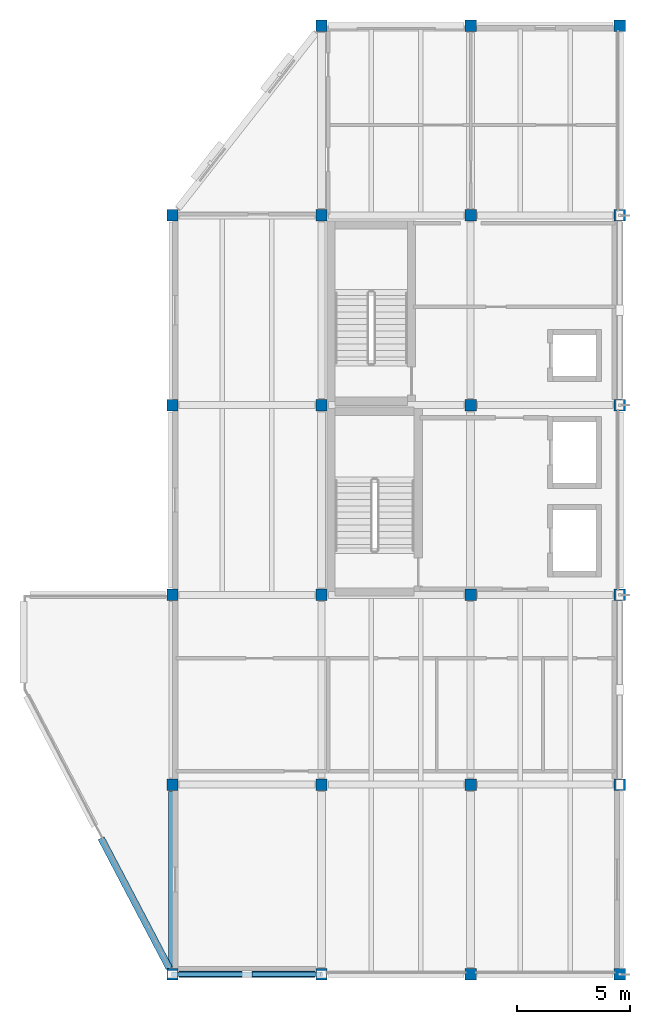
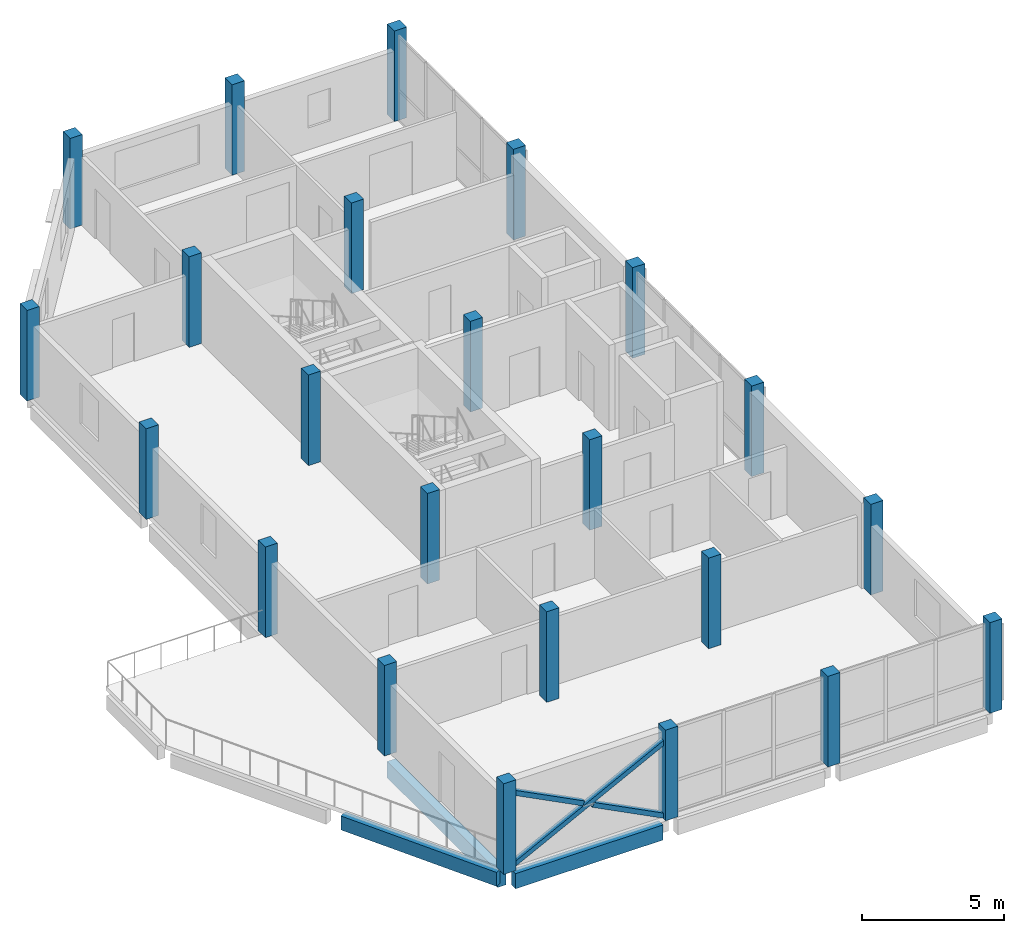
# One storey, part 1 of 9: 23 columns, 3 beams, 3 members.
"""IFC4 building model written with IfcOpenShell, lengths in metres."""

from ifc_helpers import new_model, si_unit, direction, frame, origin, origin_2d, place, context, subcontext, project, spatial, rectangle, hollow_rectangle, extrude, material, material_profile, profile_set, type_object, element, save


model = new_model("IFC4")

# Units and contexts
model_context = context("Model", 3, precision=1e-05, world=origin(), true_north=direction((0.0, 1.0)))
body_context = subcontext(model_context, "Body", "Model", "MODEL_VIEW")
ifc_project = project(units=[si_unit("LENGTHUNIT", "METRE"), si_unit("AREAUNIT", "SQUARE_METRE"), si_unit("VOLUMEUNIT", "CUBIC_METRE"), si_unit("PLANEANGLEUNIT", "RADIAN"), si_unit("MASSUNIT", "GRAM", prefix="KILO")], contexts=[model_context])

# Site, building, storey
site_placement = place(None, origin())
site = spatial("IfcSite", under=ifc_project, at=site_placement, CompositionType="ELEMENT")
building_placement = place(site_placement, origin())
building = spatial("IfcBuilding", under=site, at=building_placement, Name="Qaldarim Faculty of Natural and Applied Sciences", CompositionType="ELEMENT")
storey_placement = place(building_placement, frame((0.0, 0.0, 43.199951171875)))
storey = spatial("IfcBuildingStorey", under=building, at=storey_placement, Name="L10", CompositionType="ELEMENT", Elevation=43.199951171875)

# Columns
ifc_material_1 = material(Name="Concrete C50/60", Category="concrete")
ifc_material_profile_1 = material_profile(ifc_material_1, rectangle(XDim=0.5, YDim=0.5, at=origin_2d()), Name="RC-C500x500")
ifc_profile_set_1 = profile_set([ifc_material_profile_1], Name="Concrete C50/60")
column_type = type_object("IfcColumnType", Name="Column-RC500x500", PredefinedType="COLUMN", material=ifc_profile_set_1)
for number, where, z_axis, x_axis, name in (
    (1, (158.39990234375, 0.0, 0.0), (0.0, 0.0, 1.0), (1.0, 0.0, 0.0), "Column X25/Y01 L10"),
    (2, (158.39990234375, 8.39990234375, 0.0), (0.0, 0.0, 1.0), (1.0, 0.0, 0.0), "Column X25/Y02 L10"),
    (3, (158.39990234375, 16.800048828125, 0.0), (0.0, 0.0, 1.0), (1.0, 0.0, 0.0), "Column X25/Y03 L10"),
    (4, (158.39990234375, 25.199951171875, 0.0), (0.0, 0.0, 1.0), (1.0, 0.0, 0.0), "Column X25/Y04 L10"),
    (5, (158.39990234375, 33.60009765625, 0.0), (0.0, 0.0, 1.0), (1.0, 0.0, 0.0), "Column X25/Y05 L10"),
    (6, (165.0, 0.0, 0.0), (0.0, 0.0, 1.0), (1.0, 0.0, 0.0), "Column X26/Y01 L10"),
    (7, (165.0, 8.39990234375, 0.0), (0.0, 0.0, 1.0), (1.0, 0.0, 0.0), "Column X26/Y02 L10"),
    (8, (165.0, 16.800048828125, 0.0), (0.0, 0.0, 1.0), (1.0, 0.0, 0.0), "Column X26/Y03 L10"),
    (9, (165.0, 25.199951171875, 0.0), (0.0, 0.0, 1.0), (1.0, 0.0, 0.0), "Column X26/Y04 L10"),
    (10, (165.0, 33.60009765625, 0.0), (0.0, 0.0, 1.0), (1.0, 0.0, 0.0), "Column X26/Y05 L10"),
    (11, (165.0, 42.0, 0.0), (0.0, 0.0, 1.0), (1.0, 0.0, 0.0), "Column X26/Y06 L10"),
    (12, (171.60009765625, 0.0, 0.0), (0.0, 0.0, 1.0), (1.0, 0.0, 0.0), "Column X27/Y01 L10"),
    (13, (171.60009765625, 8.39990234375, 0.0), (0.0, 0.0, 1.0), (1.0, 0.0, 0.0), "Column X27/Y02 L10"),
    (14, (171.60009765625, 16.800048828125, 0.0), (0.0, 0.0, 1.0), (1.0, 0.0, 0.0), "Column X27/Y03 L10"),
    (15, (171.60009765625, 25.199951171875, 0.0), (0.0, 0.0, 1.0), (1.0, 0.0, 0.0), "Column X27/Y04 L10"),
    (16, (171.60009765625, 33.60009765625, 0.0), (0.0, 0.0, 1.0), (1.0, 0.0, 0.0), "Column X27/Y05 L10"),
    (17, (171.60009765625, 42.0, 0.0), (0.0, 0.0, 1.0), (1.0, 0.0, 0.0), "Column X27/Y06 L10"),
    (18, (178.199951171875, 0.0, 0.0), (0.0, 0.0, 1.0), (1.0, 0.0, 0.0), "Column X28/Y01 L10"),
    (19, (178.199951171875, 8.39990234375, 0.0), (0.0, 0.0, 1.0), (1.0, 0.0, 0.0), "Column X28/Y02 L10"),
    (20, (178.199951171875, 16.800048828125, 0.0), (0.0, 0.0, 1.0), (1.0, 0.0, 0.0), "Column X28/Y03 L10"),
    (21, (178.199951171875, 25.199951171875, 0.0), (0.0, 0.0, 1.0), (1.0, 0.0, 0.0), "Column X28/Y04 L10"),
    (22, (178.199951171875, 33.60009765625, 0.0), (0.0, 0.0, 1.0), (1.0, 0.0, 0.0), "Column X28/Y05 L10"),
    (23, (178.199951171875, 42.0, 0.0), (0.0, 0.0, 1.0), (1.0, 0.0, 0.0), "Column X28/Y06 L10"),
):
    element("IfcColumn", number, at=place(storey_placement, frame(where, z_axis=z_axis, x_axis=x_axis)), inside=storey, type_object=column_type, Name=name, PredefinedType="COLUMN", context=body_context, shape_type="SweptSolid", body=[
        extrude(rectangle(XDim=0.5, YDim=0.5, at=origin_2d()), origin(), (0.0, 0.0, 1.0), 3.900146484375),
    ])

# Beams
ifc_material_2 = material(Name="Concrete C40/50", Category="concrete")
ifc_material_profile_2 = material_profile(ifc_material_2, rectangle(XDim=0.300048828125, YDim=0.64990234375, at=origin_2d()), Name="RC-B300x650")
ifc_profile_set_2 = profile_set([ifc_material_profile_2], Name="Concrete C40/50")
beam_type_1 = type_object("IfcBeamType", Name="PrimaryBeam-RC300x650", PredefinedType="BEAM", material=ifc_profile_set_2)
beam_1_placement = place(storey_placement, frame((158.699951171875, 0.0, -0.544921875), z_axis=(1.0, 0.0, 0.0), x_axis=(0.0, 1.0, 0.0)))
element("IfcBeam", 24, at=beam_1_placement, inside=storey, type_object=beam_type_1, Name="Beam RC-B300x650 L09 X25-X26/Y01", PredefinedType="BEAM", context=body_context, shape_type="SweptSolid", body=[
    extrude(rectangle(XDim=0.300048828125, YDim=0.64990234375, at=origin_2d()), origin(), (0.0, 0.0, 1.0), 6.0),
])
ifc_material_profile_3 = material_profile(ifc_material_2, rectangle(XDim=0.35009765625, YDim=0.699951171875, at=origin_2d()), Name="RC-B350x700")
ifc_profile_set_3 = profile_set([ifc_material_profile_3], Name="Concrete C40/50")
beam_type_2 = type_object("IfcBeamType", Name="PrimaryGirder-RC350x700", PredefinedType="BEAM", material=ifc_profile_set_3)
beam_2_placement = place(storey_placement, frame((158.39990234375, 0.300048828125, -0.570068359375), z_axis=(0.0, 1.0, 0.0), x_axis=(-1.0, 0.0, 0.0)))
element("IfcBeam", 25, at=beam_2_placement, inside=storey, type_object=beam_type_2, Name="Beam RC-B350x700 L09 X25/Y01-Y02", PredefinedType="BEAM", context=body_context, shape_type="SweptSolid", body=[
    extrude(rectangle(XDim=0.35009765625, YDim=0.699951171875, at=origin_2d()), origin(), (0.0, 0.0, 1.0), 7.800048828125),
])
ifc_material_3 = material(Name="Precast concrete C40/50", Category="concrete")
ifc_material_profile_4 = material_profile(ifc_material_3, rectangle(XDim=0.300048828125, YDim=0.60009765625, at=origin_2d()), Name="RC-SP300x600")
ifc_profile_set_4 = profile_set([ifc_material_profile_4], Name="Precast concrete C40/50")
beam_type_3 = type_object("IfcBeamType", Name="SpandrelBeam-RC300x600", PredefinedType="SPANDREL", material=ifc_profile_set_4)
beam_3_placement = place(storey_placement, frame((155.239990234375, 6.030029296875, -0.47998046875), z_axis=(0.464353423794, -0.885649986061, 0.0), x_axis=(0.885649986061, 0.464353423794, 0.0)))
element("IfcBeam", 26, at=beam_3_placement, inside=storey, type_object=beam_type_3, Name="Oblique SW chamfer spandrel L09 3", PredefinedType="SPANDREL", context=body_context, shape_type="SweptSolid", body=[
    extrude(rectangle(XDim=0.300048828125, YDim=0.60009765625, at=origin_2d()), origin(), (0.0, 0.0, 1.0), 6.503662109375),
])

# Members
ifc_material_4 = material(Name="Structural steel S355", Category="steel")
ifc_material_profile_5 = material_profile(ifc_material_4, hollow_rectangle(XDim=0.199951171875, YDim=0.199951171875, WallThickness=0.012451171875, at=origin_2d()), Name="SHS 200x200x12.5")
ifc_profile_set_5 = profile_set([ifc_material_profile_5], Name="Structural steel S355")
member_type = type_object("IfcMemberType", Name="UpperWingBrace-SHS200x12-5", PredefinedType="BRACE", material=ifc_profile_set_5)
member_placement = place(storey_placement, frame((158.39990234375, 0.0, 0.0), z_axis=(0.890065845771, 0.0, 0.455831975834), x_axis=(0.0, 1.0, 0.0)))
element("IfcMember", 27, at=member_placement, inside=storey, type_object=member_type, Name="South diagrid L10 primary brace L", PredefinedType="BRACE", context=body_context, shape_type="SweptSolid", body=[
    extrude(hollow_rectangle(XDim=0.199951171875, YDim=0.199951171875, WallThickness=0.012451171875, at=origin_2d()), origin(), (0.0, 0.0, 1.0), 7.415283203125),
])
for number, where, z_axis, x_axis, name in (
    (28, (165.0, 0.0, 0.0), (-0.890074529705, 0.0, 0.455815019026), (0.0, -1.0, 0.0), "South diagrid L10 split secondary lower brace R1"),
    (29, (161.5048828125, 0.0, 1.7900390625), (-0.890074529705, 0.0, 0.455815019026), (0.0, -1.0, 0.0), "South diagrid L10 split secondary upper brace R2"),
):
    element("IfcMember", number, at=place(storey_placement, frame(where, z_axis=z_axis, x_axis=x_axis)), inside=storey, type_object=member_type, Name=name, PredefinedType="BRACE", context=body_context, shape_type="SweptSolid", body=[
        extrude(hollow_rectangle(XDim=0.199951171875, YDim=0.199951171875, WallThickness=0.012451171875, at=origin_2d()), origin(), (0.0, 0.0, 1.0), 3.488525390625),
    ])

save(model, "model.ifc")
